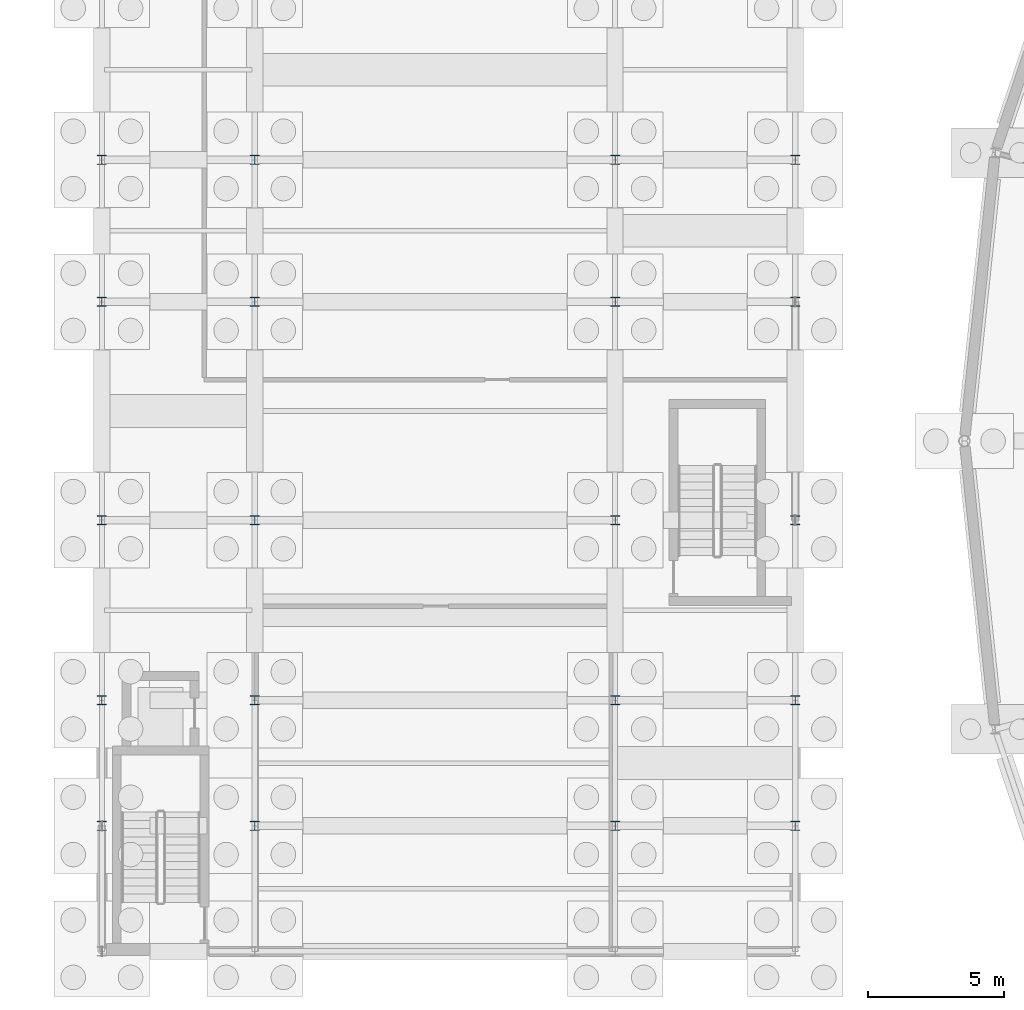
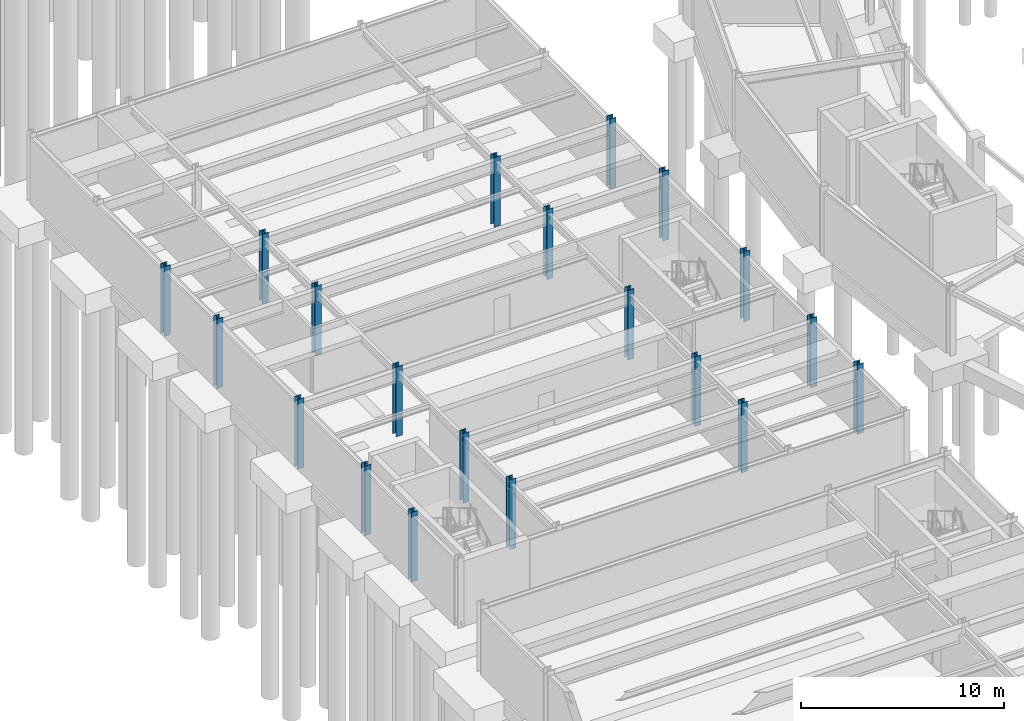
# One storey, part 10 of 58: 20 columns.
"""IFC4 building model written with IfcOpenShell, lengths in metres."""

from ifc_helpers import new_model, si_unit, direction, frame, origin, origin_2d, place, context, subcontext, project, spatial, i_section, extrude, material, material_profile, profile_set, type_object, element, save


model = new_model("IFC4")

# Units and contexts
model_context = context("Model", 3, precision=1e-05, world=origin(), true_north=direction((0.0, 1.0)))
body_context = subcontext(model_context, "Body", "Model", "MODEL_VIEW")
ifc_project = project(units=[si_unit("LENGTHUNIT", "METRE"), si_unit("AREAUNIT", "SQUARE_METRE"), si_unit("VOLUMEUNIT", "CUBIC_METRE"), si_unit("PLANEANGLEUNIT", "RADIAN"), si_unit("MASSUNIT", "GRAM", prefix="KILO")], contexts=[model_context])

# Site, building, storey
site_placement = place(None, origin())
site = spatial("IfcSite", under=ifc_project, at=site_placement, CompositionType="ELEMENT")
building_placement = place(site_placement, origin())
building = spatial("IfcBuilding", under=site, at=building_placement, Name="Karori Crest Natural Sciences Institute", CompositionType="ELEMENT")
storey_placement = place(building_placement, frame((0.0, 0.0, -4.199951171875)))
storey = spatial("IfcBuildingStorey", under=building, at=storey_placement, Name="B1", CompositionType="ELEMENT", Elevation=-4.199951171875)

# Columns
ifc_material = material(Name="Structural steel AS/NZS 3679.1 Grade 350", Category="steel")
ifc_material_profile = material_profile(ifc_material, i_section(OverallWidth=0.35009765625, OverallDepth=0.35009765625, WebThickness=0.02001953125, FlangeThickness=0.031982421875, FilletRadius=0.01611328125, at=origin_2d()), Name="350WC280")
ifc_profile_set = profile_set([ifc_material_profile], Name="Structural steel AS/NZS 3679.1 Grade 350")
column_type = type_object("IfcColumnType", Name="CT-03", PredefinedType="COLUMN", material=ifc_profile_set)
for number, where, z_axis, x_axis, name in (
    (1, (1.800048828125, 35.800048828125, 0.0), (0.0, 0.0, 1.0), (1.0, 0.0, 0.0), "Column C-0535"),
    (2, (1.800048828125, 40.39990234375, 0.0), (0.0, 0.0, 1.0), (1.0, 0.0, 0.0), "Column C-0541"),
    (3, (1.800048828125, 47.0, 0.0), (0.0, 0.0, 1.0), (1.0, 0.0, 0.0), "Column C-0547"),
    (4, (1.800048828125, 55.0, 0.0), (0.0, 0.0, 1.0), (1.0, 0.0, 0.0), "Column C-0553"),
    (5, (1.800048828125, 60.199951171875, 0.0), (0.0, 0.0, 1.0), (1.0, 0.0, 0.0), "Column C-0559"),
    (6, (7.39990234375, 35.800048828125, 0.0), (0.0, 0.0, 1.0), (1.0, 0.0, 0.0), "Column C-0580"),
    (7, (7.39990234375, 40.39990234375, 0.0), (0.0, 0.0, 1.0), (1.0, 0.0, 0.0), "Column C-0586"),
    (8, (7.39990234375, 47.0, 0.0), (0.0, 0.0, 1.0), (1.0, 0.0, 0.0), "Column C-0592"),
    (9, (7.39990234375, 55.0, 0.0), (0.0, 0.0, 1.0), (1.0, 0.0, 0.0), "Column C-0598"),
    (10, (7.39990234375, 60.199951171875, 0.0), (0.0, 0.0, 1.0), (1.0, 0.0, 0.0), "Column C-0604"),
    (11, (20.60009765625, 35.800048828125, 0.0), (0.0, 0.0, 1.0), (1.0, 0.0, 0.0), "Column C-0625"),
    (12, (20.60009765625, 40.39990234375, 0.0), (0.0, 0.0, 1.0), (1.0, 0.0, 0.0), "Column C-0631"),
    (13, (20.60009765625, 47.0, 0.0), (0.0, 0.0, 1.0), (1.0, 0.0, 0.0), "Column C-0637"),
    (14, (20.60009765625, 55.0, 0.0), (0.0, 0.0, 1.0), (1.0, 0.0, 0.0), "Column C-0643"),
    (15, (20.60009765625, 60.199951171875, 0.0), (0.0, 0.0, 1.0), (1.0, 0.0, 0.0), "Column C-0649"),
    (16, (27.199951171875, 35.800048828125, 0.0), (0.0, 0.0, 1.0), (1.0, 0.0, 0.0), "Column C-0670"),
    (17, (27.199951171875, 40.39990234375, 0.0), (0.0, 0.0, 1.0), (1.0, 0.0, 0.0), "Column C-0676"),
    (18, (27.199951171875, 47.0, 0.0), (0.0, 0.0, 1.0), (1.0, 0.0, 0.0), "Column C-0682"),
    (19, (27.199951171875, 55.0, 0.0), (0.0, 0.0, 1.0), (1.0, 0.0, 0.0), "Column C-0688"),
    (20, (27.199951171875, 60.199951171875, 0.0), (0.0, 0.0, 1.0), (1.0, 0.0, 0.0), "Column C-0694"),
):
    element("IfcColumn", number, at=place(storey_placement, frame(where, z_axis=z_axis, x_axis=x_axis)), inside=storey, type_object=column_type, Name=name, PredefinedType="COLUMN", context=body_context, shape_type="SweptSolid", body=[
        extrude(i_section(OverallWidth=0.35009765625, OverallDepth=0.35009765625, WebThickness=0.02001953125, FlangeThickness=0.031982421875, FilletRadius=0.01611328125, at=origin_2d()), origin(), (0.0, 0.0, 1.0), 4.199951171875),
    ])

save(model, "model.ifc")
